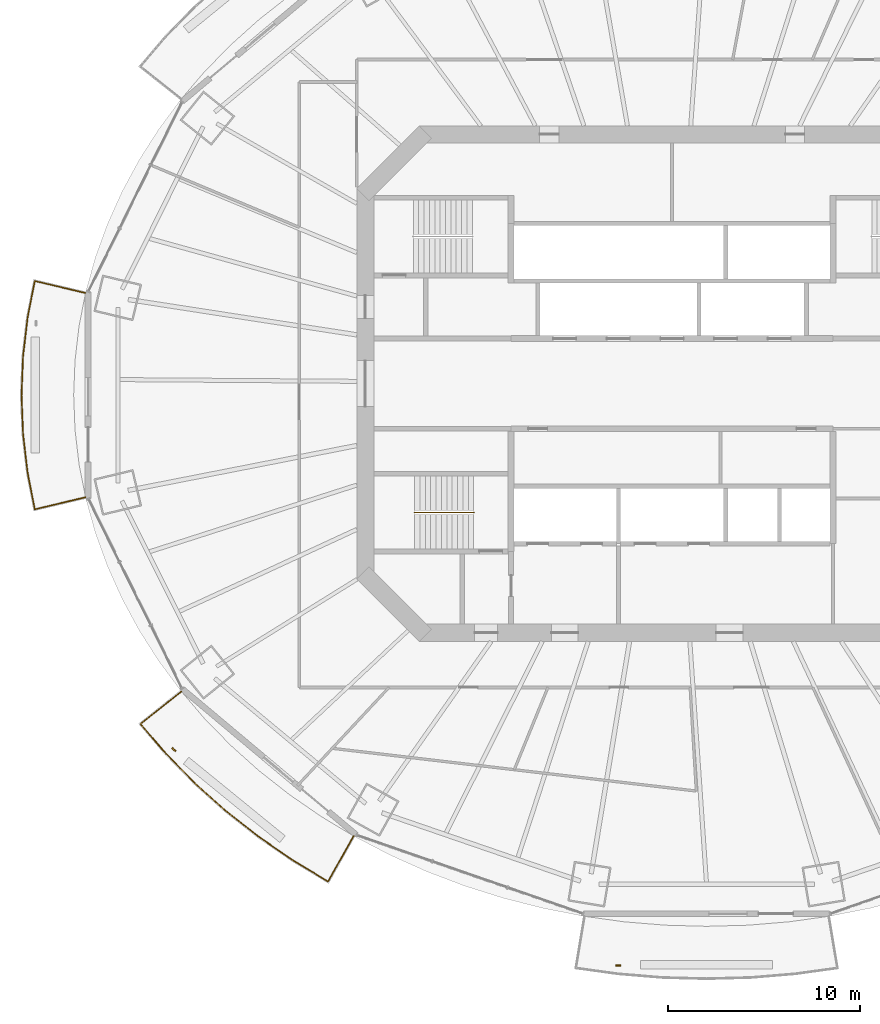
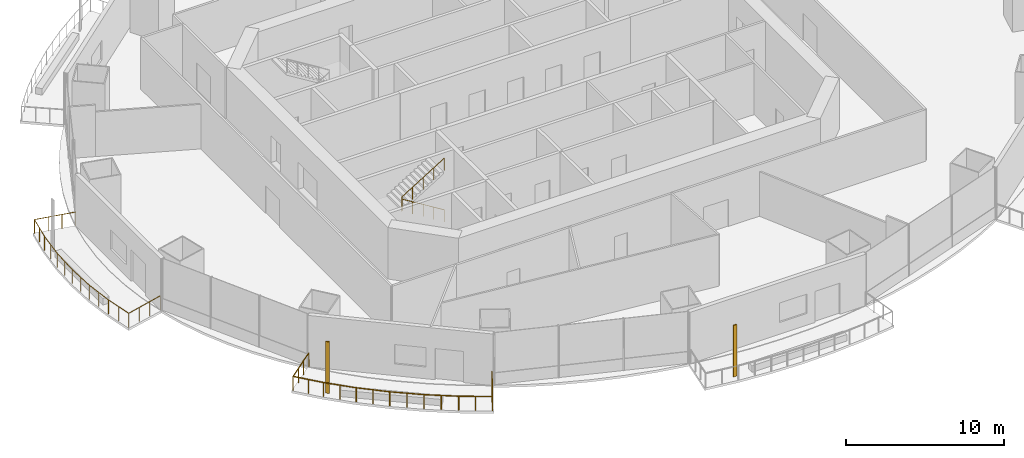
# One storey, part 16 of 21: 3 railings, 2 shading devices.
"""IFC4 building model written with IfcOpenShell, lengths in metres."""

from ifc_helpers import new_model, si_unit, direction, frame, origin, origin_2d, place, context, subcontext, project, spatial, rectangle, circle, extrude, material, material_profile, profile_set, type_object, element, save


model = new_model("IFC4")

# Units and contexts
model_context = context("Model", 3, precision=1e-05, world=origin(), true_north=direction((0.0, 1.0)))
body_context = subcontext(model_context, "Body", "Model", "MODEL_VIEW")
ifc_project = project(units=[si_unit("LENGTHUNIT", "METRE"), si_unit("AREAUNIT", "SQUARE_METRE"), si_unit("VOLUMEUNIT", "CUBIC_METRE"), si_unit("PLANEANGLEUNIT", "RADIAN"), si_unit("MASSUNIT", "GRAM", prefix="KILO")], contexts=[model_context])

# Site, building, storey
site_placement = place(None, origin())
site = spatial("IfcSite", under=ifc_project, at=site_placement, CompositionType="ELEMENT")
building_placement = place(site_placement, origin())
building = spatial("IfcBuilding", under=site, at=building_placement, Name="Marenthal Gate Tower", CompositionType="ELEMENT")
storey_placement = place(building_placement, frame((0.0, 0.0, 161.050048828125)))
storey = spatial("IfcBuildingStorey", under=building, at=storey_placement, Name="L34", CompositionType="ELEMENT", Elevation=161.050048828125)

# Railings
ifc_material_1 = material(Name="Stainless steel", Category="steel")
railing_type_1 = type_object("IfcRailingType", Name="Balcony guard 1100", PredefinedType="GUARDRAIL", material=ifc_material_1)
railing_1_placement = place(storey_placement, frame((-30.60302734375, -5.928466796875, 0.0)))
element("IfcRailing", 1, at=railing_1_placement, inside=storey, type_object=railing_type_1, Name="Balcony guard L34 bay 8", PredefinedType="GUARDRAIL", context=body_context, shape_type="SweptSolid", body=[
    extrude(circle(Radius=0.02392578125, at=origin_2d()), frame((0.0, 0.0, 1.076171875), z_axis=(-0.972987052972, -0.230389979244, -0.014719110478), x_axis=(0.230414940549, -0.973092470001, 0.0)), (0.0, 0.0, 1.0), 2.72021484375),
    extrude(circle(Radius=0.02392578125, at=origin_2d()), frame((-2.646728515625, -0.626708984375, 1.0361328125), z_axis=(-0.19149861164, 0.981492884202, 0.0), x_axis=(-0.981492884202, -0.19149861164, 0.0)), (0.0, 0.0, 1.0), 1.953125),
    extrude(circle(Radius=0.02392578125, at=origin_2d()), frame((-3.020751953125, 1.290283203125, 1.0361328125), z_axis=(-0.116533907745, 0.993186713738, 0.0), x_axis=(-0.993186713738, -0.116533907745, 0.0)), (0.0, 0.0, 1.0), 2.028076171875),
    extrude(circle(Radius=0.02392578125, at=origin_2d()), frame((-3.257080078125, 3.304443359375, 1.0361328125), z_axis=(-0.038933064912, 0.99924182081, 0.0), x_axis=(-0.99924182081, -0.038933064912, 0.0)), (0.0, 0.0, 1.0), 2.025390625),
    extrude(circle(Radius=0.02392578125, at=origin_2d()), frame((-3.3359375, 5.328369140625, 1.0361328125), z_axis=(0.038928376206, 0.999242003484, 0.0), x_axis=(-0.999242003484, 0.038928376206, 0.0)), (0.0, 0.0, 1.0), 2.025634765625),
    extrude(circle(Radius=0.02392578125, at=origin_2d()), frame((-3.257080078125, 7.3525390625, 1.0361328125), z_axis=(0.116533907745, 0.993186713738, 0.0), x_axis=(-0.993186713738, 0.116533907745, 0.0)), (0.0, 0.0, 1.0), 2.028076171875),
    extrude(circle(Radius=0.02392578125, at=origin_2d()), frame((-3.020751953125, 9.36669921875, 1.0361328125), z_axis=(0.19149861164, 0.981492884202, 0.0), x_axis=(-0.981492884202, 0.19149861164, 0.0)), (0.0, 0.0, 1.0), 1.953125),
    extrude(circle(Radius=0.02392578125, at=origin_2d()), frame((-2.646728515625, 11.28369140625, 1.0361328125), z_axis=(0.972987052972, -0.230389979244, 0.014719110478), x_axis=(0.230414940549, 0.973092470001, 0.0)), (0.0, 0.0, 1.0), 2.72021484375),
    extrude(circle(Radius=0.02099609375, at=origin_2d()), origin(), (0.0, 0.0, 1.0), 1.052001953125),
    extrude(circle(Radius=0.02099609375, at=origin_2d()), frame((-0.88232421875, -0.208984375, -0.013427734375)), (0.0, 0.0, 1.0), 1.052001953125),
    extrude(circle(Radius=0.02099609375, at=origin_2d()), frame((-1.764404296875, -0.417724609375, -0.026611328125)), (0.0, 0.0, 1.0), 1.052001953125),
    extrude(circle(Radius=0.02099609375, at=origin_2d()), frame((-2.646728515625, -0.626708984375, -0.0400390625)), (0.0, 0.0, 1.0), 1.052001953125),
    extrude(circle(Radius=0.02099609375, at=origin_2d()), frame((-2.833740234375, 0.331787109375, -0.0400390625)), (0.0, 0.0, 1.0), 1.052001953125),
    extrude(circle(Radius=0.02099609375, at=origin_2d()), frame((-3.020751953125, 1.290283203125, -0.0400390625)), (0.0, 0.0, 1.0), 1.052001953125),
    extrude(circle(Radius=0.02099609375, at=origin_2d()), frame((-3.138916015625, 2.29736328125, -0.0400390625)), (0.0, 0.0, 1.0), 1.052001953125),
    extrude(circle(Radius=0.02099609375, at=origin_2d()), frame((-3.257080078125, 3.304443359375, -0.0400390625)), (0.0, 0.0, 1.0), 1.052001953125),
    extrude(circle(Radius=0.02099609375, at=origin_2d()), frame((-3.29638671875, 4.31640625, -0.0400390625)), (0.0, 0.0, 1.0), 1.052001953125),
    extrude(circle(Radius=0.02099609375, at=origin_2d()), frame((-3.3359375, 5.328369140625, -0.0400390625)), (0.0, 0.0, 1.0), 1.052001953125),
    extrude(circle(Radius=0.02099609375, at=origin_2d()), frame((-3.29638671875, 6.34033203125, -0.0400390625)), (0.0, 0.0, 1.0), 1.052001953125),
    extrude(circle(Radius=0.02099609375, at=origin_2d()), frame((-3.257080078125, 7.3525390625, -0.0400390625)), (0.0, 0.0, 1.0), 1.052001953125),
    extrude(circle(Radius=0.02099609375, at=origin_2d()), frame((-3.138916015625, 8.359619140625, -0.0400390625)), (0.0, 0.0, 1.0), 1.052001953125),
    extrude(circle(Radius=0.02099609375, at=origin_2d()), frame((-3.020751953125, 9.36669921875, -0.0400390625)), (0.0, 0.0, 1.0), 1.052001953125),
    extrude(circle(Radius=0.02099609375, at=origin_2d()), frame((-2.833740234375, 10.3251953125, -0.0400390625)), (0.0, 0.0, 1.0), 1.052001953125),
    extrude(circle(Radius=0.02099609375, at=origin_2d()), frame((-2.646728515625, 11.28369140625, -0.0400390625)), (0.0, 0.0, 1.0), 1.052001953125),
    extrude(circle(Radius=0.02099609375, at=origin_2d()), frame((-1.764404296875, 11.07470703125, -0.026611328125)), (0.0, 0.0, 1.0), 1.052001953125),
    extrude(circle(Radius=0.02099609375, at=origin_2d()), frame((-0.88232421875, 10.865966796875, -0.013427734375)), (0.0, 0.0, 1.0), 1.052001953125),
    extrude(circle(Radius=0.02099609375, at=origin_2d()), frame((0.0, 10.656982421875, 0.0)), (0.0, 0.0, 1.0), 1.052001953125),
])
railing_2_placement = place(storey_placement, frame((-16.6142578125, -23.6025390625, 0.0)))
element("IfcRailing", 2, at=railing_2_placement, inside=storey, type_object=railing_type_1, Name="Balcony guard L34 bay 10", PredefinedType="GUARDRAIL", context=body_context, shape_type="SweptSolid", body=[
    extrude(circle(Radius=0.02392578125, at=origin_2d()), frame((0.0, 0.0, 1.076171875), z_axis=(-0.4893727887, -0.871950488724, -0.014717978608), x_axis=(0.872044944545, -0.489425801009, 0.0)), (0.0, 0.0, 1.0), 2.720458984375),
    extrude(circle(Radius=0.02392578125, at=origin_2d()), frame((-1.331298828125, -2.3720703125, 1.0361328125), z_axis=(-0.856310567602, 0.516461239411, 0.0), x_axis=(-0.516461239411, -0.856310567602, 0.0)), (0.0, 0.0, 1.0), 2.1357421875),
    extrude(circle(Radius=0.02392578125, at=origin_2d()), frame((-3.16015625, -1.26904296875, 1.0361328125), z_axis=(-0.823545660097, 0.567249985223, 0.0), x_axis=(-0.567249985223, -0.823545660097, 0.0)), (0.0, 0.0, 1.0), 2.197509765625),
    extrude(circle(Radius=0.02392578125, at=origin_2d()), frame((-4.969970703125, -0.0224609375, 1.0361328125), z_axis=(-0.786162827468, 0.618019424215, 0.0), x_axis=(-0.618019424215, -0.786162827468, 0.0)), (0.0, 0.0, 1.0), 2.179443359375),
    extrude(circle(Radius=0.02392578125, at=origin_2d()), frame((-6.683349609375, 1.324462890625, 1.0361328125), z_axis=(-0.744697255009, 0.667402426113, 0.0), x_axis=(-0.667402426113, -0.744697255009, 0.0)), (0.0, 0.0, 1.0), 2.160400390625),
    extrude(circle(Radius=0.02392578125, at=origin_2d()), frame((-8.292236328125, 2.766357421875, 1.0361328125), z_axis=(-0.699083967081, 0.715039584198, 0.0), x_axis=(-0.715039584198, -0.699083967081, 0.0)), (0.0, 0.0, 1.0), 2.14208984375),
    extrude(circle(Radius=0.02392578125, at=origin_2d()), frame((-9.789794921875, 4.298095703125, 1.0361328125), z_axis=(-0.650279703498, 0.759694877709, 0.0), x_axis=(-0.759694877709, -0.650279703498, 0.0)), (0.0, 0.0, 1.0), 2.0439453125),
    extrude(circle(Radius=0.02392578125, at=origin_2d()), frame((-11.118896484375, 5.850830078125, 1.0361328125), z_axis=(0.782541115897, 0.622424892619, 0.014719204382), x_axis=(-0.622492329303, 0.782625900388, 0.0)), (0.0, 0.0, 1.0), 2.72021484375),
    extrude(circle(Radius=0.02099609375, at=origin_2d()), origin(), (0.0, 0.0, 1.0), 1.052001953125),
    extrude(circle(Radius=0.02099609375, at=origin_2d()), frame((-0.44384765625, -0.790771484375, -0.013427734375)), (0.0, 0.0, 1.0), 1.052001953125),
    extrude(circle(Radius=0.02099609375, at=origin_2d()), frame((-0.887451171875, -1.581298828125, -0.026611328125)), (0.0, 0.0, 1.0), 1.052001953125),
    extrude(circle(Radius=0.02099609375, at=origin_2d()), frame((-1.331298828125, -2.3720703125, -0.0400390625)), (0.0, 0.0, 1.0), 1.052001953125),
    extrude(circle(Radius=0.02099609375, at=origin_2d()), frame((-2.24560546875, -1.820556640625, -0.0400390625)), (0.0, 0.0, 1.0), 1.052001953125),
    extrude(circle(Radius=0.02099609375, at=origin_2d()), frame((-3.16015625, -1.26904296875, -0.0400390625)), (0.0, 0.0, 1.0), 1.052001953125),
    extrude(circle(Radius=0.02099609375, at=origin_2d()), frame((-4.06494140625, -0.645751953125, -0.0400390625)), (0.0, 0.0, 1.0), 1.052001953125),
    extrude(circle(Radius=0.02099609375, at=origin_2d()), frame((-4.969970703125, -0.0224609375, -0.0400390625)), (0.0, 0.0, 1.0), 1.052001953125),
    extrude(circle(Radius=0.02099609375, at=origin_2d()), frame((-5.82666015625, 0.65087890625, -0.0400390625)), (0.0, 0.0, 1.0), 1.052001953125),
    extrude(circle(Radius=0.02099609375, at=origin_2d()), frame((-6.683349609375, 1.324462890625, -0.0400390625)), (0.0, 0.0, 1.0), 1.052001953125),
    extrude(circle(Radius=0.02099609375, at=origin_2d()), frame((-7.48779296875, 2.04541015625, -0.0400390625)), (0.0, 0.0, 1.0), 1.052001953125),
    extrude(circle(Radius=0.02099609375, at=origin_2d()), frame((-8.292236328125, 2.766357421875, -0.0400390625)), (0.0, 0.0, 1.0), 1.052001953125),
    extrude(circle(Radius=0.02099609375, at=origin_2d()), frame((-9.041015625, 3.5322265625, -0.0400390625)), (0.0, 0.0, 1.0), 1.052001953125),
    extrude(circle(Radius=0.02099609375, at=origin_2d()), frame((-9.789794921875, 4.298095703125, -0.0400390625)), (0.0, 0.0, 1.0), 1.052001953125),
    extrude(circle(Radius=0.02099609375, at=origin_2d()), frame((-10.454345703125, 5.074462890625, -0.0400390625)), (0.0, 0.0, 1.0), 1.052001953125),
    extrude(circle(Radius=0.02099609375, at=origin_2d()), frame((-11.118896484375, 5.850830078125, -0.0400390625)), (0.0, 0.0, 1.0), 1.052001953125),
    extrude(circle(Radius=0.02099609375, at=origin_2d()), frame((-10.409423828125, 6.415283203125, -0.026611328125)), (0.0, 0.0, 1.0), 1.052001953125),
    extrude(circle(Radius=0.02099609375, at=origin_2d()), frame((-9.69970703125, 6.9794921875, -0.013427734375)), (0.0, 0.0, 1.0), 1.052001953125),
    extrude(circle(Radius=0.02099609375, at=origin_2d()), frame((-8.990234375, 7.5439453125, 0.0)), (0.0, 0.0, 1.0), 1.052001953125),
])
ifc_material_2 = material(Name="Stainless steel", Category="steel")
railing_type_2 = type_object("IfcRailingType", Name="Stair handrail", PredefinedType="HANDRAIL", material=ifc_material_2)
railing_3_placement = place(storey_placement, frame((-10.35009765625, -6.72509765625, 0.1728515625)))
element("IfcRailing", 3, at=railing_3_placement, inside=storey, type_object=railing_type_2, Name="Handrail ST2", PredefinedType="HANDRAIL", context=body_context, shape_type="SweptSolid", body=[
    extrude(circle(Radius=0.0224609375, at=origin_2d()), frame((0.0, 0.0, 0.927490234375), z_axis=(-0.850816621229, 0.0, 0.525462726595), x_axis=(0.0, -1.0, 0.0)), (0.0, 0.0, 1.0), 3.619873046875),
    extrude(circle(Radius=0.0224609375, at=origin_2d()), frame((-3.079833984375, 0.0, 2.82958984375), z_axis=(0.0, 0.0, 1.0), x_axis=(1.0, 0.0, 0.0)), (0.0, 0.0, 1.0), 0.1728515625),
    extrude(circle(Radius=0.0224609375, at=origin_2d()), frame((-3.079833984375, 0.0, 3.00244140625), z_axis=(0.850816621229, 0.0, 0.525462726595), x_axis=(0.0, 1.0, 0.0)), (0.0, 0.0, 1.0), 3.619873046875),
    extrude(circle(Radius=0.02001953125, at=origin_2d()), origin(), (0.0, 0.0, 1.0), 0.905029296875),
    extrude(circle(Radius=0.02001953125, at=origin_2d()), frame((-0.77001953125, 0.0, 0.4755859375)), (0.0, 0.0, 1.0), 0.905029296875),
    extrude(circle(Radius=0.02001953125, at=origin_2d()), frame((-1.5400390625, 0.0, 0.951171875)), (0.0, 0.0, 1.0), 0.905029296875),
    extrude(circle(Radius=0.02001953125, at=origin_2d()), frame((-2.309814453125, 0.0, 1.426513671875)), (0.0, 0.0, 1.0), 0.905029296875),
    extrude(circle(Radius=0.02001953125, at=origin_2d()), frame((-3.079833984375, 0.0, 1.902099609375)), (0.0, 0.0, 1.0), 0.905029296875),
    extrude(circle(Radius=0.02001953125, at=origin_2d()), frame((-3.079833984375, 0.0, 2.074951171875)), (0.0, 0.0, 1.0), 0.905029296875),
    extrude(circle(Radius=0.02001953125, at=origin_2d()), frame((-2.309814453125, 0.0, 2.550537109375)), (0.0, 0.0, 1.0), 0.905029296875),
    extrude(circle(Radius=0.02001953125, at=origin_2d()), frame((-1.5400390625, 0.0, 3.02587890625)), (0.0, 0.0, 1.0), 0.905029296875),
    extrude(circle(Radius=0.02001953125, at=origin_2d()), frame((-0.77001953125, 0.0, 3.50146484375)), (0.0, 0.0, 1.0), 0.905029296875),
    extrude(circle(Radius=0.02001953125, at=origin_2d()), frame((0.0, 0.0, 3.97705078125)), (0.0, 0.0, 1.0), 0.905029296875),
])

# Shading devices
ifc_material_3 = material(Name="Terracotta", Category="masonry")
ifc_material_profile = material_profile(ifc_material_3, rectangle(XDim=0.25, YDim=0.080078125, at=origin_2d()), Name="Terracotta baguette 250x80")
ifc_profile_set = profile_set([ifc_material_profile], Name="Terracotta")
shading_device_type = type_object("IfcShadingDeviceType", Name="Terracotta BAGUETTE SCREEN 250x80", PredefinedType="USERDEFINED", material=ifc_profile_set)
for number, where, z_axis, x_axis, name in (
    (4, (-25.990478515625, -19.09130859375, -0.0400390625), (0.0, 0.0, 1.0), (0.765921119211, -0.642934552771, 0.0), "Terracotta BAGUETTE L34 bay 10L"),
    (5, (-2.802734375, -30.35595703125, -0.0400390625), (0.0, 0.0, 1.0), (1.0, 0.0, 0.0), "Terracotta BAGUETTE L34 bay 12L"),
):
    element("IfcShadingDevice", number, at=place(storey_placement, frame(where, z_axis=z_axis, x_axis=x_axis)), inside=storey, type_object=shading_device_type, Name=name, ObjectType="BAGUETTE SCREEN", PredefinedType="USERDEFINED", context=body_context, shape_type="SweptSolid", body=[
        extrude(rectangle(XDim=0.25, YDim=0.080078125, at=origin_2d()), origin(), (0.0, 0.0, 1.0), 3.969970703125),
    ])

save(model, "model.ifc")
